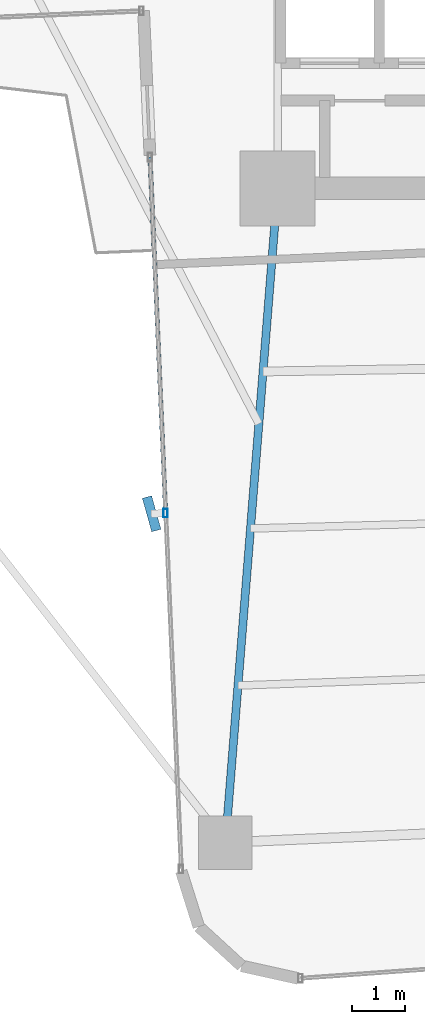
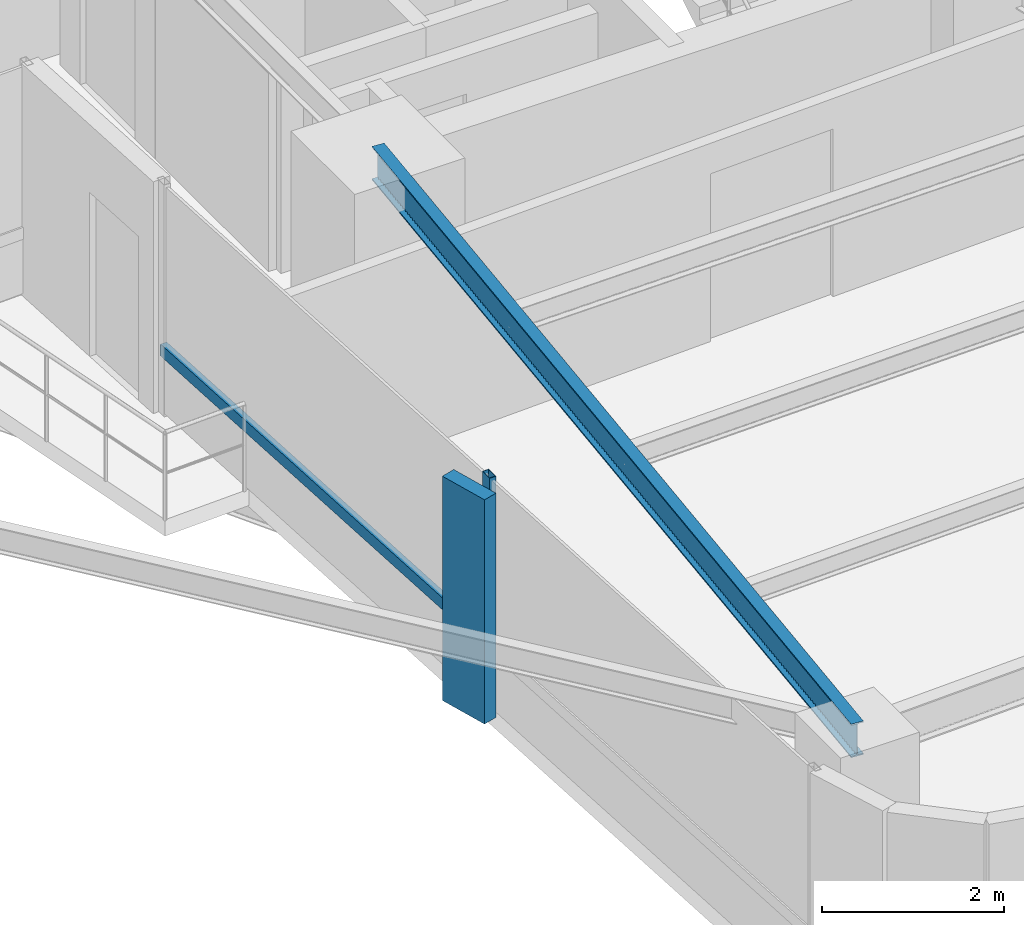
# One storey, part 4 of 26: 3 members, 1 beam, 1 element without a shape of its own.
"""IFC4 building model written with IfcOpenShell, lengths in metres."""

import ifcopenshell
import ifcopenshell.guid

model = None  # the IFC model being written
_history = None  # IfcOwnerHistory: only IFC2X3 demands one
_inside = {}  # id of a spatial element -> (the spatial element, [elements in it])
_under = {}  # id of a project, library or spatial element -> (it, [spatial elements below it])
_declared = {}  # id of a project -> (the project, [libraries it declares])
_typed = {}  # id of a type object -> (the type object, [elements of that type])
_made_of = {}  # id of a material, layer set ... -> (it, [elements and type objects made of it])


def new_model(schema):
    """Start an empty IFC model of exactly this schema.

    Asked for "IFC4X3", IfcOpenShell would pick the latest addendum, in which some entities
    have other attributes; the version numbers below select the first issue.
    IFC2X3 requires an IfcOwnerHistory on every rooted entity: one is made here for all.
    """
    global model, _history
    if schema == "IFC4X3":
        model = ifcopenshell.file(schema_version=(4, 3, 0, 0))
    else:
        model = ifcopenshell.file(schema=schema)
    _inside.clear()
    _under.clear()
    _declared.clear()
    _typed.clear()
    _made_of.clear()
    _history = None
    if model.schema == "IFC2X3":
        org = make("IfcOrganization", Name="unknown")
        user = make(
            "IfcPersonAndOrganization",
            ThePerson=make("IfcPerson", FamilyName="unknown"),
            TheOrganization=org,
        )
        app = make(
            "IfcApplication",
            ApplicationDeveloper=org,
            Version="unknown",
            ApplicationFullName="unknown",
            ApplicationIdentifier="unknown",
        )
        _history = make(
            "IfcOwnerHistory",
            OwningUser=user,
            OwningApplication=app,
            ChangeAction="ADDED",
            CreationDate=0,
        )
    return model


def make(cls, **values):
    """One entity of the class cls with the attributes given. An attribute that is None is left unset."""
    return model.create_entity(
        cls, **{name: value for name, value in values.items() if value is not None}
    )


def rooted(cls, **values):
    """An entity with a GlobalId (a new one), such as an element, a storey or a relation."""
    return make(cls, GlobalId=ifcopenshell.guid.new(), OwnerHistory=_history, **values)


def si_unit(unit_type, name, prefix=None):
    """IfcSIUnit, for example si_unit("LENGTHUNIT", "METRE", prefix="MILLI")."""
    return make("IfcSIUnit", UnitType=unit_type, Prefix=prefix, Name=name)


def assignment(units):
    """IfcUnitAssignment: the units of a project."""
    return None if units is None else make("IfcUnitAssignment", Units=units)


def point(xyz):
    """IfcCartesianPoint."""
    return None if xyz is None else make("IfcCartesianPoint", Coordinates=xyz)


def direction(xyz):
    """IfcDirection."""
    return None if xyz is None else make("IfcDirection", DirectionRatios=xyz)


def frame(location, z_axis=None, x_axis=None):
    """IfcAxis2Placement3D, a coordinate frame: its origin and axes. An axis left out is left unset."""
    return make(
        "IfcAxis2Placement3D",
        Location=point(location),
        Axis=direction(z_axis),
        RefDirection=direction(x_axis),
    )


def frame_2d(location, x_axis=None):
    """IfcAxis2Placement2D, a coordinate frame in the plane: its origin and x axis."""
    return make(
        "IfcAxis2Placement2D", Location=point(location), RefDirection=direction(x_axis)
    )


def origin():
    """The frame at (0, 0, 0) with its axes left unset."""
    return frame((0.0, 0.0, 0.0))


def origin_2d():
    """The frame at (0, 0) in the plane with its x axis left unset."""
    return frame_2d((0.0, 0.0))


def place(relative_to, where):
    """IfcLocalPlacement: puts the frame where relative to a parent placement (None: the world)."""
    return make(
        "IfcLocalPlacement", PlacementRelTo=relative_to, RelativePlacement=where
    )


def context(
    kind, dimensions, precision=None, world=None, true_north=None, identifier=None
):
    """IfcGeometricRepresentationContext, for example the 3D "Model" context."""
    return make(
        "IfcGeometricRepresentationContext",
        ContextIdentifier=identifier,
        ContextType=kind,
        CoordinateSpaceDimension=dimensions,
        Precision=precision,
        WorldCoordinateSystem=world,
        TrueNorth=true_north,
    )


def subcontext(parent, identifier, kind, view, scale=None):
    """IfcGeometricRepresentationSubContext, for example "Body" below "Model"."""
    return make(
        "IfcGeometricRepresentationSubContext",
        ContextIdentifier=identifier,
        ContextType=kind,
        ParentContext=parent,
        TargetScale=scale,
        TargetView=view,
    )


def project(units=None, contexts=None):
    """IfcProject with its units and contexts."""
    return rooted(
        "IfcProject",
        Name="project",
        RepresentationContexts=contexts,
        UnitsInContext=assignment(units),
    )


def spatial(cls, under=None, at=None, **own):
    """A site, building, storey or space (cls), placed at a placement, below another one or the project."""
    s = rooted(cls, ObjectPlacement=at, **own)
    if under is not None:
        _under.setdefault(under.id(), (under, []))[1].append(s)
    return s


def profile(cls, at=None, kind="AREA", **sizes):
    """A parametric profile (cls). Its sizes go by their IFC names, for example OverallWidth=200.0."""
    return make(cls, ProfileType=kind, Position=at, **sizes)


def rectangle(**sizes):
    """IfcRectangleProfileDef."""
    return profile("IfcRectangleProfileDef", **sizes)


def hollow_rectangle(**sizes):
    """IfcRectangleHollowProfileDef."""
    return profile("IfcRectangleHollowProfileDef", **sizes)


def i_section(**sizes):
    """IfcIShapeProfileDef."""
    return profile("IfcIShapeProfileDef", **sizes)


def extrude(swept, where, along, depth):
    """IfcExtrudedAreaSolid: the profile swept, set in the frame where, extruded along a direction by depth."""
    return make(
        "IfcExtrudedAreaSolid",
        SweptArea=swept,
        Position=where,
        ExtrudedDirection=direction(along),
        Depth=depth,
    )


def shape(context_of_items, identifier, shape_type, items):
    """IfcShapeRepresentation: the items that make up one representation, for example the "Body"."""
    return make(
        "IfcShapeRepresentation",
        ContextOfItems=context_of_items,
        RepresentationIdentifier=identifier,
        RepresentationType=shape_type,
        Items=items,
    )


def source(mapping_origin, context_of_items, identifier, shape_type, items):
    """IfcRepresentationMap: a shape defined once, which mapped items show again and again."""
    return make(
        "IfcRepresentationMap",
        MappingOrigin=mapping_origin,
        MappedRepresentation=shape(context_of_items, identifier, shape_type, items),
    )


def transform(
    local_origin,
    x_axis=None,
    y_axis=None,
    z_axis=None,
    scale=None,
    scale2=None,
    scale3=None,
    uniform=True,
):
    """IfcCartesianTransformationOperator3D, or its non-uniform kind. x_axis, y_axis, z_axis: its Axis1, 2, 3."""
    if uniform:
        return make(
            "IfcCartesianTransformationOperator3D",
            Axis1=direction(x_axis),
            Axis2=direction(y_axis),
            LocalOrigin=point(local_origin),
            Scale=scale,
            Axis3=direction(z_axis),
        )
    return make(
        "IfcCartesianTransformationOperator3DnonUniform",
        Axis1=direction(x_axis),
        Axis2=direction(y_axis),
        LocalOrigin=point(local_origin),
        Scale=scale,
        Axis3=direction(z_axis),
        Scale2=scale2,
        Scale3=scale3,
    )


def mapped(mapping_source, mapping_target):
    """IfcMappedItem: shows the shape of a source again, moved by a transform."""
    return make(
        "IfcMappedItem", MappingSource=mapping_source, MappingTarget=mapping_target
    )


def material(Name=None, Category=None):
    """IfcMaterial."""
    return make("IfcMaterial", Name=Name, Category=Category)


def material_profile(
    of_material, cross_section, Name=None, Category=None, Priority=None
):
    """IfcMaterialProfile: a cross section and its material."""
    return make(
        "IfcMaterialProfile",
        Name=Name,
        Material=of_material,
        Profile=cross_section,
        Priority=Priority,
        Category=Category,
    )


def profile_set(profiles, Name=None, composite=None):
    """IfcMaterialProfileSet."""
    return make(
        "IfcMaterialProfileSet",
        Name=Name,
        MaterialProfiles=profiles,
        CompositeProfile=composite,
    )


def made_of(thing, what):
    """Note that an element or type object is made of a material, layer set ...; save() writes the relation."""
    if what is not None:
        _made_of.setdefault(what.id(), (what, []))[1].append(thing)
    return thing


def type_object(cls, material=None, **own):
    """A type object (cls), such as IfcWallType, which elements share."""
    return made_of(rooted(cls, **own), material)


def element(
    cls,
    number,
    at=None,
    inside=None,
    cuts=None,
    type_object=None,
    material=None,
    context=None,
    identifier="Body",
    shape_type=None,
    held_by="IfcProductDefinitionShape",
    body=None,
    shapes=None,
    **own,
):
    """One element of the class cls, such as IfcWall. Its Tag is "e" and its number.

    at: its placement. inside: the storey or other place that contains it. cuts: it is an
    opening in that element (IfcRelVoidsElement). A single representation is given by context,
    identifier, shape_type and body (its items); several are given by shapes. held_by: the class
    of the entity that holds the representations. save() writes the other relations.
    """
    e = rooted(cls, Tag="e%d" % number, ObjectPlacement=at, **own)
    if body is not None:
        shapes = [shape(context, identifier, shape_type, body)]
    if shapes is not None:
        e.Representation = make(held_by, Representations=shapes)
    if inside is not None:
        _inside.setdefault(inside.id(), (inside, []))[1].append(e)
    if cuts is not None:
        rooted(
            "IfcRelVoidsElement", RelatingBuildingElement=cuts, RelatedOpeningElement=e
        )
    if type_object is not None:
        _typed.setdefault(type_object.id(), (type_object, []))[1].append(e)
    return made_of(e, material)


def aggregate(whole, parts):
    """IfcRelAggregates: a whole, such as a stair, and the parts it consists of."""
    return rooted("IfcRelAggregates", RelatingObject=whole, RelatedObjects=parts)


def save(model, path):
    """Write the relations noted so far, then the file.

    IfcRelAggregates (storeys below a building ...), IfcRelContainedInSpatialStructure (elements
    in a storey), IfcRelDefinesByType, IfcRelAssociatesMaterial and IfcRelDeclares: one each for
    every whole, place, type object, material and project.
    """
    for whole, parts in _under.values():
        aggregate(whole, parts)
    for where, things in _inside.values():
        rooted(
            "IfcRelContainedInSpatialStructure",
            RelatedElements=things,
            RelatingStructure=where,
        )
    for kind, things in _typed.values():
        rooted("IfcRelDefinesByType", RelatedObjects=things, RelatingType=kind)
    for what, things in _made_of.values():
        rooted("IfcRelAssociatesMaterial", RelatedObjects=things, RelatingMaterial=what)
    for by, libraries in _declared.values():
        rooted("IfcRelDeclares", RelatingContext=by, RelatedDefinitions=libraries)
    model.write(path)


model = new_model("IFC4")

# Units and contexts
model_context = context("Model", 3, precision=1e-05, world=origin(), true_north=direction((0.0, 1.0)))
body_context = subcontext(model_context, "Body", "Model", "MODEL_VIEW")
ifc_project = project(units=[si_unit("LENGTHUNIT", "METRE"), si_unit("AREAUNIT", "SQUARE_METRE"), si_unit("VOLUMEUNIT", "CUBIC_METRE"), si_unit("PLANEANGLEUNIT", "RADIAN"), si_unit("MASSUNIT", "GRAM", prefix="KILO")], contexts=[model_context])

# Site, building, storey
site_placement = place(None, origin())
site = spatial("IfcSite", under=ifc_project, at=site_placement, CompositionType="ELEMENT")
building_placement = place(site_placement, origin())
building = spatial("IfcBuilding", under=site, at=building_placement, Name="Sahyath Konkavel Grand Hotel", CompositionType="ELEMENT")
storey_placement = place(building_placement, frame((0.0, 0.0, 83.5)))
storey = spatial("IfcBuildingStorey", under=building, at=storey_placement, Name="L22", CompositionType="ELEMENT", Elevation=83.5)

# Beam
ifc_material_1 = material(Name="Steel E350", Category="steel")
ifc_material_profile_1 = material_profile(ifc_material_1, i_section(OverallWidth=0.14990234375, OverallDepth=0.449951171875, WebThickness=0.009521484375, FlangeThickness=0.017333984375, FilletRadius=0.014892578125, at=origin_2d()), Name="ISMB 450")
ifc_profile_set_1 = profile_set([ifc_material_profile_1], Name="Steel E350")
beam_type = type_object("IfcBeamType", Name="BM-ISMB450", PredefinedType="BEAM", material=ifc_profile_set_1)
shared_shape_1 = source(origin(), body_context, "Body", "SweptSolid", [
    extrude(i_section(OverallWidth=0.14990234375, OverallDepth=0.449951171875, WebThickness=0.009521484375, FlangeThickness=0.017333984375, FilletRadius=0.014892578125, at=origin_2d()), origin(), (0.0, 0.0, 1.0), 12.2685546875),
])
beam_placement = place(storey_placement, frame((-3.800048828125, -10.199951171875, 2.885009765625), z_axis=(-0.079558563357, -0.996830193662, 0.0), x_axis=(0.996830193662, -0.079558563357, 0.0)))
element("IfcBeam", 1, at=beam_placement, inside=storey, type_object=beam_type, Name="L22 Cruciform Radial Girder SA", PredefinedType="BEAM", context=body_context, shape_type="MappedRepresentation", body=[
    mapped(shared_shape_1, transform((0.0, 0.0, 0.0), scale=1.0)),
])

# Curtain wall, members
ifc_material_2 = material(Name="Anodised Bronze Aluminium & Low-E Glazing", Category="aluminium")
curtain_wall_type = type_object("IfcCurtainWallType", Name="CW-ZONE2", PredefinedType="NOTDEFINED", material=ifc_material_2)
curtain_wall_placement = place(storey_placement, origin())
curtain_wall = element("IfcCurtainWall", 2, at=curtain_wall_placement, inside=storey, type_object=curtain_wall_type, Name="L22 Unitised Curtain Wall F24", PredefinedType="NOTDEFINED")
ifc_material_3 = material(Name="Warm Buff Sandstone Cladding on Concrete C50/60", Category="masonry")
ifc_material_profile_2 = material_profile(ifc_material_3, rectangle(XDim=0.179931640625, YDim=0.64990234375, at=origin_2d()), Name="FIN 180x650")
ifc_profile_set_2 = profile_set([ifc_material_profile_2], Name="Warm Buff Sandstone Cladding on Concrete C50/60")
member_type_1 = type_object("IfcMemberType", Name="FIN-SANDSTONE-650", PredefinedType="MULLION", material=ifc_profile_set_2)
shared_shape_2 = source(origin(), body_context, "Body", "SweptSolid", [
    extrude(rectangle(XDim=0.179931640625, YDim=0.64990234375, at=origin_2d()), origin(), (0.0, 0.0, 1.0), 3.010009765625),
])
member_1_placement = place(storey_placement, frame((-6.155517578125, -16.283935546875, 0.050048828125), z_axis=(0.0, 0.0, 1.0), x_axis=(0.962974590644, 0.269592169347, 0.0)))
member_1 = element("IfcMember", 3, at=member_1_placement, type_object=member_type_1, Name="L22 Sandstone Vertical Solar Fin FIN F24-1", PredefinedType="MULLION", context=body_context, shape_type="MappedRepresentation", body=[
    mapped(shared_shape_2, transform((0.0, 0.0, 0.0), scale=1.0)),
])
ifc_material_4 = material(Name="Anodised Bronze Aluminium", Category="aluminium")
ifc_material_profile_3 = material_profile(ifc_material_4, hollow_rectangle(XDim=0.080078125, YDim=0.159912109375, WallThickness=0.006103515625, at=origin_2d()), Name="RHS 160x80x6")
ifc_profile_set_3 = profile_set([ifc_material_profile_3], Name="Anodised Bronze Aluminium")
member_type_2 = type_object("IfcMemberType", Name="CW-MUL-160", PredefinedType="MULLION", material=ifc_profile_set_3)
shared_shape_3 = source(origin(), body_context, "Body", "SweptSolid", [
    extrude(hollow_rectangle(XDim=0.080078125, YDim=0.159912109375, WallThickness=0.006103515625, at=origin_2d()), origin(), (0.0, 0.0, 1.0), 3.110107421875),
])
member_2_placement = place(storey_placement, frame((-5.895751953125, -16.272705078125, 0.0), z_axis=(0.0, 0.0, 1.0), x_axis=(1.0, 0.0, 0.0)))
member_2 = element("IfcMember", 4, at=member_2_placement, type_object=member_type_2, Name="L22 Curtain Wall Mullion F24-1", PredefinedType="MULLION", context=body_context, shape_type="MappedRepresentation", body=[
    mapped(shared_shape_3, transform((0.0, 0.0, 0.0), scale=1.0)),
])
ifc_material_profile_4 = material_profile(ifc_material_4, hollow_rectangle(XDim=0.080078125, YDim=0.159912109375, WallThickness=0.006103515625, at=origin_2d()), Name="RHS 160x80x6")
ifc_profile_set_4 = profile_set([ifc_material_profile_4], Name="Anodised Bronze Aluminium")
member_type_3 = type_object("IfcMemberType", Name="CW-TRN-160", PredefinedType="USERDEFINED", material=ifc_profile_set_4)
shared_shape_4 = source(origin(), body_context, "Body", "SweptSolid", [
    extrude(hollow_rectangle(XDim=0.080078125, YDim=0.159912109375, WallThickness=0.006103515625, at=origin_2d()), origin(), (0.0, 0.0, 1.0), 6.66015625),
])
member_3_placement = place(storey_placement, frame((-6.186279296875, -9.618896484375, 0.85009765625), z_axis=(0.043621753165, -0.999048118286, 0.0), x_axis=(0.999048118286, 0.043621753165, 0.0)))
member_3 = element("IfcMember", 5, at=member_3_placement, type_object=member_type_3, Name="L22 Curtain Wall Transom F24-0-spandrel", ObjectType="TRANSOM", PredefinedType="USERDEFINED", context=body_context, shape_type="MappedRepresentation", body=[
    mapped(shared_shape_4, transform((0.0, 0.0, 0.0), scale=1.0)),
])
aggregate(curtain_wall, [member_2, member_1, member_3])

save(model, "model.ifc")
